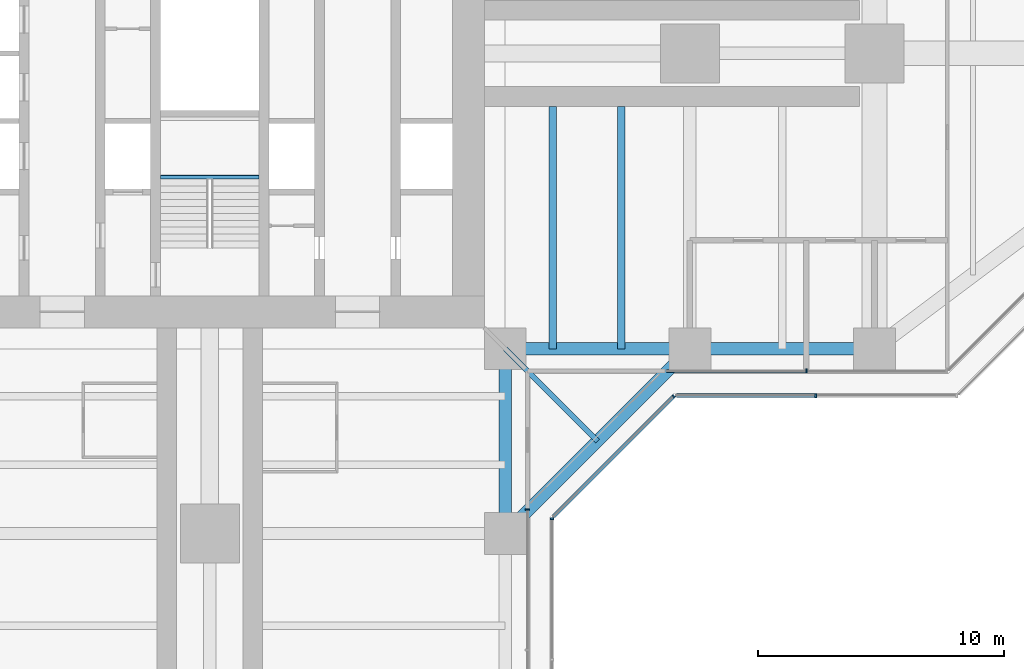
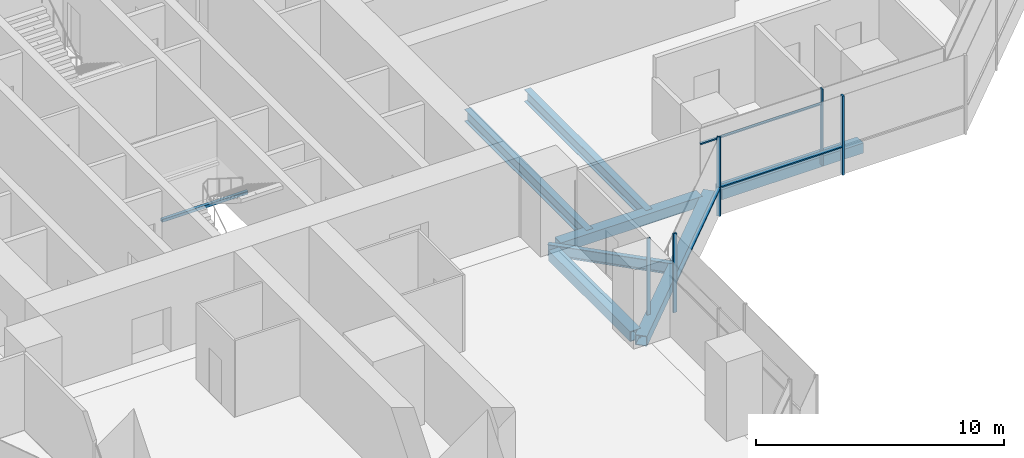
# One storey, part 6 of 22: 8 beams, 8 members, 5 elements without a shape of their own.
"""IFC4 building model written with IfcOpenShell, lengths in metres."""

import ifcopenshell
import ifcopenshell.guid

model = None  # the IFC model being written
_history = None  # IfcOwnerHistory: only IFC2X3 demands one
_inside = {}  # id of a spatial element -> (the spatial element, [elements in it])
_under = {}  # id of a project, library or spatial element -> (it, [spatial elements below it])
_declared = {}  # id of a project -> (the project, [libraries it declares])
_typed = {}  # id of a type object -> (the type object, [elements of that type])
_made_of = {}  # id of a material, layer set ... -> (it, [elements and type objects made of it])


def new_model(schema):
    """Start an empty IFC model of exactly this schema.

    Asked for "IFC4X3", IfcOpenShell would pick the latest addendum, in which some entities
    have other attributes; the version numbers below select the first issue.
    IFC2X3 requires an IfcOwnerHistory on every rooted entity: one is made here for all.
    """
    global model, _history
    if schema == "IFC4X3":
        model = ifcopenshell.file(schema_version=(4, 3, 0, 0))
    else:
        model = ifcopenshell.file(schema=schema)
    _inside.clear()
    _under.clear()
    _declared.clear()
    _typed.clear()
    _made_of.clear()
    _history = None
    if model.schema == "IFC2X3":
        org = make("IfcOrganization", Name="unknown")
        user = make(
            "IfcPersonAndOrganization",
            ThePerson=make("IfcPerson", FamilyName="unknown"),
            TheOrganization=org,
        )
        app = make(
            "IfcApplication",
            ApplicationDeveloper=org,
            Version="unknown",
            ApplicationFullName="unknown",
            ApplicationIdentifier="unknown",
        )
        _history = make(
            "IfcOwnerHistory",
            OwningUser=user,
            OwningApplication=app,
            ChangeAction="ADDED",
            CreationDate=0,
        )
    return model


def make(cls, **values):
    """One entity of the class cls with the attributes given. An attribute that is None is left unset."""
    return model.create_entity(
        cls, **{name: value for name, value in values.items() if value is not None}
    )


def rooted(cls, **values):
    """An entity with a GlobalId (a new one), such as an element, a storey or a relation."""
    return make(cls, GlobalId=ifcopenshell.guid.new(), OwnerHistory=_history, **values)


def si_unit(unit_type, name, prefix=None):
    """IfcSIUnit, for example si_unit("LENGTHUNIT", "METRE", prefix="MILLI")."""
    return make("IfcSIUnit", UnitType=unit_type, Prefix=prefix, Name=name)


def assignment(units):
    """IfcUnitAssignment: the units of a project."""
    return None if units is None else make("IfcUnitAssignment", Units=units)


def point(xyz):
    """IfcCartesianPoint."""
    return None if xyz is None else make("IfcCartesianPoint", Coordinates=xyz)


def direction(xyz):
    """IfcDirection."""
    return None if xyz is None else make("IfcDirection", DirectionRatios=xyz)


def frame(location, z_axis=None, x_axis=None):
    """IfcAxis2Placement3D, a coordinate frame: its origin and axes. An axis left out is left unset."""
    return make(
        "IfcAxis2Placement3D",
        Location=point(location),
        Axis=direction(z_axis),
        RefDirection=direction(x_axis),
    )


def frame_2d(location, x_axis=None):
    """IfcAxis2Placement2D, a coordinate frame in the plane: its origin and x axis."""
    return make(
        "IfcAxis2Placement2D", Location=point(location), RefDirection=direction(x_axis)
    )


def origin():
    """The frame at (0, 0, 0) with its axes left unset."""
    return frame((0.0, 0.0, 0.0))


def origin_2d():
    """The frame at (0, 0) in the plane with its x axis left unset."""
    return frame_2d((0.0, 0.0))


def place(relative_to, where):
    """IfcLocalPlacement: puts the frame where relative to a parent placement (None: the world)."""
    return make(
        "IfcLocalPlacement", PlacementRelTo=relative_to, RelativePlacement=where
    )


def context(
    kind, dimensions, precision=None, world=None, true_north=None, identifier=None
):
    """IfcGeometricRepresentationContext, for example the 3D "Model" context."""
    return make(
        "IfcGeometricRepresentationContext",
        ContextIdentifier=identifier,
        ContextType=kind,
        CoordinateSpaceDimension=dimensions,
        Precision=precision,
        WorldCoordinateSystem=world,
        TrueNorth=true_north,
    )


def subcontext(parent, identifier, kind, view, scale=None):
    """IfcGeometricRepresentationSubContext, for example "Body" below "Model"."""
    return make(
        "IfcGeometricRepresentationSubContext",
        ContextIdentifier=identifier,
        ContextType=kind,
        ParentContext=parent,
        TargetScale=scale,
        TargetView=view,
    )


def project(units=None, contexts=None):
    """IfcProject with its units and contexts."""
    return rooted(
        "IfcProject",
        Name="project",
        RepresentationContexts=contexts,
        UnitsInContext=assignment(units),
    )


def spatial(cls, under=None, at=None, **own):
    """A site, building, storey or space (cls), placed at a placement, below another one or the project."""
    s = rooted(cls, ObjectPlacement=at, **own)
    if under is not None:
        _under.setdefault(under.id(), (under, []))[1].append(s)
    return s


def profile(cls, at=None, kind="AREA", **sizes):
    """A parametric profile (cls). Its sizes go by their IFC names, for example OverallWidth=200.0."""
    return make(cls, ProfileType=kind, Position=at, **sizes)


def rectangle(**sizes):
    """IfcRectangleProfileDef."""
    return profile("IfcRectangleProfileDef", **sizes)


def hollow_rectangle(**sizes):
    """IfcRectangleHollowProfileDef."""
    return profile("IfcRectangleHollowProfileDef", **sizes)


def i_section(**sizes):
    """IfcIShapeProfileDef."""
    return profile("IfcIShapeProfileDef", **sizes)


def extrude(swept, where, along, depth):
    """IfcExtrudedAreaSolid: the profile swept, set in the frame where, extruded along a direction by depth."""
    return make(
        "IfcExtrudedAreaSolid",
        SweptArea=swept,
        Position=where,
        ExtrudedDirection=direction(along),
        Depth=depth,
    )


def shape(context_of_items, identifier, shape_type, items):
    """IfcShapeRepresentation: the items that make up one representation, for example the "Body"."""
    return make(
        "IfcShapeRepresentation",
        ContextOfItems=context_of_items,
        RepresentationIdentifier=identifier,
        RepresentationType=shape_type,
        Items=items,
    )


def material(Name=None, Category=None):
    """IfcMaterial."""
    return make("IfcMaterial", Name=Name, Category=Category)


def material_profile(
    of_material, cross_section, Name=None, Category=None, Priority=None
):
    """IfcMaterialProfile: a cross section and its material."""
    return make(
        "IfcMaterialProfile",
        Name=Name,
        Material=of_material,
        Profile=cross_section,
        Priority=Priority,
        Category=Category,
    )


def profile_set(profiles, Name=None, composite=None):
    """IfcMaterialProfileSet."""
    return make(
        "IfcMaterialProfileSet",
        Name=Name,
        MaterialProfiles=profiles,
        CompositeProfile=composite,
    )


def made_of(thing, what):
    """Note that an element or type object is made of a material, layer set ...; save() writes the relation."""
    if what is not None:
        _made_of.setdefault(what.id(), (what, []))[1].append(thing)
    return thing


def type_object(cls, material=None, **own):
    """A type object (cls), such as IfcWallType, which elements share."""
    return made_of(rooted(cls, **own), material)


def element(
    cls,
    number,
    at=None,
    inside=None,
    cuts=None,
    type_object=None,
    material=None,
    context=None,
    identifier="Body",
    shape_type=None,
    held_by="IfcProductDefinitionShape",
    body=None,
    shapes=None,
    **own,
):
    """One element of the class cls, such as IfcWall. Its Tag is "e" and its number.

    at: its placement. inside: the storey or other place that contains it. cuts: it is an
    opening in that element (IfcRelVoidsElement). A single representation is given by context,
    identifier, shape_type and body (its items); several are given by shapes. held_by: the class
    of the entity that holds the representations. save() writes the other relations.
    """
    e = rooted(cls, Tag="e%d" % number, ObjectPlacement=at, **own)
    if body is not None:
        shapes = [shape(context, identifier, shape_type, body)]
    if shapes is not None:
        e.Representation = make(held_by, Representations=shapes)
    if inside is not None:
        _inside.setdefault(inside.id(), (inside, []))[1].append(e)
    if cuts is not None:
        rooted(
            "IfcRelVoidsElement", RelatingBuildingElement=cuts, RelatedOpeningElement=e
        )
    if type_object is not None:
        _typed.setdefault(type_object.id(), (type_object, []))[1].append(e)
    return made_of(e, material)


def aggregate(whole, parts):
    """IfcRelAggregates: a whole, such as a stair, and the parts it consists of."""
    return rooted("IfcRelAggregates", RelatingObject=whole, RelatedObjects=parts)


def save(model, path):
    """Write the relations noted so far, then the file.

    IfcRelAggregates (storeys below a building ...), IfcRelContainedInSpatialStructure (elements
    in a storey), IfcRelDefinesByType, IfcRelAssociatesMaterial and IfcRelDeclares: one each for
    every whole, place, type object, material and project.
    """
    for whole, parts in _under.values():
        aggregate(whole, parts)
    for where, things in _inside.values():
        rooted(
            "IfcRelContainedInSpatialStructure",
            RelatedElements=things,
            RelatingStructure=where,
        )
    for kind, things in _typed.values():
        rooted("IfcRelDefinesByType", RelatedObjects=things, RelatingType=kind)
    for what, things in _made_of.values():
        rooted("IfcRelAssociatesMaterial", RelatedObjects=things, RelatingMaterial=what)
    for by, libraries in _declared.values():
        rooted("IfcRelDeclares", RelatingContext=by, RelatedDefinitions=libraries)
    model.write(path)


model = new_model("IFC4")

# Units and contexts
model_context = context("Model", 3, precision=1e-05, world=origin(), true_north=direction((0.0, 1.0)))
body_context = subcontext(model_context, "Body", "Model", "MODEL_VIEW")
ifc_project = project(units=[si_unit("LENGTHUNIT", "METRE"), si_unit("AREAUNIT", "SQUARE_METRE"), si_unit("VOLUMEUNIT", "CUBIC_METRE"), si_unit("PLANEANGLEUNIT", "RADIAN"), si_unit("MASSUNIT", "GRAM", prefix="KILO")], contexts=[model_context])

# Site, building, storey
site_placement = place(None, origin())
site = spatial("IfcSite", under=ifc_project, at=site_placement, CompositionType="ELEMENT")
building_placement = place(site_placement, origin())
building = spatial("IfcBuilding", under=site, at=building_placement, Name="Mizan Broadcast Tower", CompositionType="ELEMENT")
storey_placement = place(building_placement, frame((0.0, 0.0, 47.39990234375)))
storey = spatial("IfcBuildingStorey", under=building, at=storey_placement, Name="L08", CompositionType="ELEMENT", Elevation=47.39990234375)

# Beams
ifc_material_1 = material(Name="Steel S355", Category="steel")
ifc_material_profile_1 = material_profile(ifc_material_1, hollow_rectangle(XDim=0.5, YDim=0.5, WallThickness=0.030029296875, at=origin_2d()), Name="BOX 500x500x30")
ifc_profile_set_1 = profile_set([ifc_material_profile_1], Name="Steel S355")
beam_type_1 = type_object("IfcBeamType", Name="EDGE BEAM BOX 500x500x30", PredefinedType="SPANDREL", material=ifc_profile_set_1)
for number, where, z_axis, x_axis, name in (
    (1, (12.449951171875, -12.0, -0.3798828125), (1.0, 0.0, 0.0), (0.0, 1.0, 0.0), "Edge beam BOX 500x500x30 L08 east arm"),
    (2, (19.949951171875, -12.0, -0.3798828125), (1.0, 0.0, 0.0), (0.0, 1.0, 0.0), "Edge beam BOX 500x500x30 L08 east arm"),
    (3, (12.0, -12.449951171875, -0.3798828125), (0.0, -1.0, 0.0), (1.0, 0.0, 0.0), "Edge beam BOX 500x500x30 L08 south arm"),
):
    element("IfcBeam", number, at=place(storey_placement, frame(where, z_axis=z_axis, x_axis=x_axis)), inside=storey, type_object=beam_type_1, Name=name, PredefinedType="SPANDREL", context=body_context, shape_type="SweptSolid", body=[
        extrude(hollow_rectangle(XDim=0.5, YDim=0.5, WallThickness=0.030029296875, at=origin_2d()), origin(), (0.0, 0.0, 1.0), 6.60009765625),
    ])
beam_1_placement = place(storey_placement, frame((12.0, -19.5, -0.3798828125), z_axis=(0.707106781187, 0.707106781187, 0.0), x_axis=(-0.707106781187, 0.707106781187, 0.0)))
element("IfcBeam", 4, at=beam_1_placement, inside=storey, type_object=beam_type_1, Name="Winter garden edge beam L08 S", PredefinedType="SPANDREL", context=body_context, shape_type="SweptSolid", body=[
    extrude(hollow_rectangle(XDim=0.5, YDim=0.5, WallThickness=0.030029296875, at=origin_2d()), origin(), (0.0, 0.0, 1.0), 10.606689453125),
])

# Curtain wall, member
ifc_material_2 = material(Name="Aluminium framed glazing", Category="aluminium")
curtain_wall_type_1 = type_object("IfcCurtainWallType", Name="INNER SKIN LOW ZONE", PredefinedType="USERDEFINED", material=ifc_material_2)
curtain_wall_1_placement = place(storey_placement, origin())
curtain_wall_1 = element("IfcCurtainWall", 5, at=curtain_wall_1_placement, inside=storey, type_object=curtain_wall_type_1, Name="Inner skin low zone L08 E side", ObjectType="INNER SKIN LOW ZONE", PredefinedType="USERDEFINED")
ifc_material_3 = material(Name="Aluminium, pale anodised", Category="aluminium")
ifc_material_profile_2 = material_profile(ifc_material_3, rectangle(XDim=0.159912109375, YDim=0.06005859375, at=origin_2d()), Name="MULLION 160x60")
ifc_profile_set_2 = profile_set([ifc_material_profile_2], Name="Aluminium, pale anodised")
member_type_1 = type_object("IfcMemberType", Name="INNER SKIN MULLION 60x160", PredefinedType="MULLION", material=ifc_profile_set_2)
member_1_placement = place(storey_placement, frame((24.229248046875, -12.89990234375, 0.0), z_axis=(0.0, 0.0, 1.0), x_axis=(0.0, 1.0, 0.0)))
member_1 = element("IfcMember", 6, at=member_1_placement, type_object=member_type_1, Name="Inner skin low zone L08 E side mullion 2", PredefinedType="MULLION", context=body_context, shape_type="SweptSolid", body=[
    extrude(rectangle(XDim=0.159912109375, YDim=0.06005859375, at=origin_2d()), origin(), (0.0, 0.0, 1.0), 3.77001953125),
])

curtain_wall_2_placement = place(storey_placement, origin())
curtain_wall_2 = element("IfcCurtainWall", 7, at=curtain_wall_2_placement, inside=storey, type_object=curtain_wall_type_1, Name="Inner skin low zone L08 S side", ObjectType="INNER SKIN LOW ZONE", PredefinedType="USERDEFINED")
member_2_placement = place(storey_placement, frame((12.89990234375, -18.530029296875, 0.0), z_axis=(0.0, 0.0, 1.0), x_axis=(-1.0, 0.0, 0.0)))
member_2 = element("IfcMember", 8, at=member_2_placement, type_object=member_type_1, Name="Inner skin low zone L08 S side mullion 3", PredefinedType="MULLION", context=body_context, shape_type="SweptSolid", body=[
    extrude(rectangle(XDim=0.159912109375, YDim=0.06005859375, at=origin_2d()), origin(), (0.0, 0.0, 1.0), 3.77001953125),
])
aggregate(curtain_wall_2, [member_2])

# Member
ifc_material_4 = material(Name="Aluminium, pale anodised", Category="aluminium")
ifc_material_profile_3 = material_profile(ifc_material_4, rectangle(XDim=0.1201171875, YDim=0.06005859375, at=origin_2d()), Name="TRANSOM 120x60")
ifc_profile_set_3 = profile_set([ifc_material_profile_3], Name="Aluminium, pale anodised")
member_type_2 = type_object("IfcMemberType", Name="INNER SKIN TRANSOM 60x120", PredefinedType="USERDEFINED", material=ifc_profile_set_3)
member_3_placement = place(storey_placement, frame((18.56005859375, -12.89990234375, 3.030029296875), z_axis=(1.0, 0.0, 0.0), x_axis=(0.0, 1.0, 0.0)))
member_3 = element("IfcMember", 9, at=member_3_placement, type_object=member_type_2, Name="Inner skin low zone L08 E side transom 1.1", ObjectType="TRANSOM", PredefinedType="USERDEFINED", context=body_context, shape_type="SweptSolid", body=[
    extrude(rectangle(XDim=0.1201171875, YDim=0.06005859375, at=origin_2d()), origin(), (0.0, 0.0, 1.0), 5.63916015625),
])

aggregate(curtain_wall_1, [member_1, member_3])

# Beam
ifc_material_5 = material(Name="Steel S355", Category="steel")
ifc_material_profile_4 = material_profile(ifc_material_5, hollow_rectangle(XDim=0.14990234375, YDim=0.14990234375, WallThickness=0.008056640625, InnerFilletRadius=0.008056640625, OuterFilletRadius=0.011962890625, at=origin_2d()), Name="SHS 150x150x8")
ifc_profile_set_4 = profile_set([ifc_material_profile_4], Name="Steel S355")
beam_type_2 = type_object("IfcBeamType", Name="LANDING TRIMMER SHS 150x150x8", PredefinedType="BEAM", material=ifc_profile_set_4)
beam_2_placement = place(storey_placement, frame((-2.0, -5.02490234375, 1.675048828125), z_axis=(1.0, 0.0, 0.0), x_axis=(0.0, 1.0, 0.0)))
element("IfcBeam", 10, at=beam_2_placement, inside=storey, type_object=beam_type_2, Name="Stair A landing trimmer L08", PredefinedType="BEAM", context=body_context, shape_type="SweptSolid", body=[
    extrude(hollow_rectangle(XDim=0.14990234375, YDim=0.14990234375, WallThickness=0.008056640625, InnerFilletRadius=0.008056640625, OuterFilletRadius=0.011962890625, at=origin_2d()), origin(), (0.0, 0.0, 1.0), 4.0),
])

# Curtain wall, member
ifc_material_6 = material(Name="Aluminium framed glazing", Category="aluminium")
curtain_wall_type_2 = type_object("IfcCurtainWallType", Name="OUTER SKIN", PredefinedType="USERDEFINED", material=ifc_material_6)
curtain_wall_3_placement = place(storey_placement, origin())
curtain_wall_3 = element("IfcCurtainWall", 11, at=curtain_wall_3_placement, inside=storey, type_object=curtain_wall_type_2, Name="Outer skin L08 S side", ObjectType="OUTER SKIN", PredefinedType="USERDEFINED")
ifc_material_7 = material(Name="Aluminium, pale anodised", Category="aluminium")
ifc_material_profile_5 = material_profile(ifc_material_7, rectangle(XDim=0.159912109375, YDim=0.080078125, at=origin_2d()), Name="MULLION 160x80")
ifc_profile_set_5 = profile_set([ifc_material_profile_5], Name="Aluminium, pale anodised")
member_type_3 = type_object("IfcMemberType", Name="OUTER SKIN MULLION 80x160", PredefinedType="MULLION", material=ifc_profile_set_5)
member_4_placement = place(storey_placement, frame((13.89990234375, -18.912841796875, 0.0), z_axis=(0.0, 0.0, 1.0), x_axis=(-1.0, 0.0, 0.0)))
member_4 = element("IfcMember", 12, at=member_4_placement, type_object=member_type_3, Name="Outer skin L08 S side mullion 3", PredefinedType="MULLION", context=body_context, shape_type="SweptSolid", body=[
    extrude(rectangle(XDim=0.159912109375, YDim=0.080078125, at=origin_2d()), origin(), (0.0, 0.0, 1.0), 3.900146484375),
])
aggregate(curtain_wall_3, [member_4])

curtain_wall_4_placement = place(storey_placement, origin())
curtain_wall_4 = element("IfcCurtainWall", 13, at=curtain_wall_4_placement, inside=storey, type_object=curtain_wall_type_2, Name="Outer skin L08 E chamfer", ObjectType="OUTER SKIN", PredefinedType="USERDEFINED")
member_5_placement = place(storey_placement, frame((18.844482421875, -13.92822265625, 0.0), z_axis=(0.0, 0.0, 1.0), x_axis=(-0.707106781187, 0.707106781187, 0.0)))
member_5 = element("IfcMember", 14, at=member_5_placement, type_object=member_type_3, Name="Outer skin L08 E chamfer mullion 2", PredefinedType="MULLION", context=body_context, shape_type="SweptSolid", body=[
    extrude(rectangle(XDim=0.159912109375, YDim=0.080078125, at=origin_2d()), origin(), (0.0, 0.0, 1.0), 3.900146484375),
])

curtain_wall_5_placement = place(storey_placement, origin())
curtain_wall_5 = element("IfcCurtainWall", 15, at=curtain_wall_5_placement, inside=storey, type_object=curtain_wall_type_2, Name="Outer skin L08 E side", ObjectType="OUTER SKIN", PredefinedType="USERDEFINED")
member_6_placement = place(storey_placement, frame((24.622802734375, -13.89990234375, 0.0), z_axis=(0.0, 0.0, 1.0), x_axis=(0.0, 1.0, 0.0)))
member_6 = element("IfcMember", 16, at=member_6_placement, type_object=member_type_3, Name="Outer skin L08 E side mullion 2", PredefinedType="MULLION", context=body_context, shape_type="SweptSolid", body=[
    extrude(rectangle(XDim=0.159912109375, YDim=0.080078125, at=origin_2d()), origin(), (0.0, 0.0, 1.0), 3.900146484375),
])

# Member
ifc_material_8 = material(Name="Aluminium, pale anodised", Category="aluminium")
ifc_material_profile_6 = material_profile(ifc_material_8, rectangle(XDim=0.159912109375, YDim=0.06005859375, at=origin_2d()), Name="TRANSOM 160x60")
ifc_profile_set_6 = profile_set([ifc_material_profile_6], Name="Aluminium, pale anodised")
member_type_4 = type_object("IfcMemberType", Name="OUTER SKIN TRANSOM 60x160", PredefinedType="USERDEFINED", material=ifc_profile_set_6)
member_7_placement = place(storey_placement, frame((13.95654296875, -18.816162109375, 1.400146484375), z_axis=(0.707106781187, 0.707106781187, 0.0), x_axis=(-0.707106781187, 0.707106781187, 0.0)))
member_7 = element("IfcMember", 17, at=member_7_placement, type_object=member_type_4, Name="Outer skin L08 E chamfer transom 1.1", ObjectType="TRANSOM", PredefinedType="USERDEFINED", context=body_context, shape_type="SweptSolid", body=[
    extrude(rectangle(XDim=0.159912109375, YDim=0.06005859375, at=origin_2d()), origin(), (0.0, 0.0, 1.0), 6.87255859375),
])

aggregate(curtain_wall_4, [member_5, member_7])

member_8_placement = place(storey_placement, frame((18.952880859375, -13.89990234375, 1.400146484375), z_axis=(1.0, 0.0, 0.0), x_axis=(0.0, 1.0, 0.0)))
member_8 = element("IfcMember", 18, at=member_8_placement, type_object=member_type_4, Name="Outer skin L08 E side transom 1.1", ObjectType="TRANSOM", PredefinedType="USERDEFINED", context=body_context, shape_type="SweptSolid", body=[
    extrude(rectangle(XDim=0.159912109375, YDim=0.06005859375, at=origin_2d()), origin(), (0.0, 0.0, 1.0), 5.6298828125),
])

aggregate(curtain_wall_5, [member_6, member_8])

# Beams
ifc_material_9 = material(Name="Steel S355", Category="steel")
ifc_material_profile_7 = material_profile(ifc_material_9, i_section(OverallWidth=0.300048828125, OverallDepth=0.590087890625, WebThickness=0.012939453125, FlangeThickness=0.02490234375, FilletRadius=0.027099609375, at=origin_2d()), Name="HEA 600")
ifc_profile_set_7 = profile_set([ifc_material_profile_7], Name="Steel S355")
beam_type_3 = type_object("IfcBeamType", Name="SECONDARY BEAM HEA 600", PredefinedType="JOIST", material=ifc_profile_set_7)
for number, where, z_axis, x_axis, name in (
    (19, (13.933349609375, -12.0, -0.4248046875), (0.0, 1.0, 0.0), (-1.0, 0.0, 0.0), "Secondary beam HEA 600 L08 east arm"),
    (20, (16.716552734375, -12.0, -0.4248046875), (0.0, 1.0, 0.0), (-1.0, 0.0, 0.0), "Secondary beam HEA 600 L08 east arm"),
):
    element("IfcBeam", number, at=place(storey_placement, frame(where, z_axis=z_axis, x_axis=x_axis)), inside=storey, type_object=beam_type_3, Name=name, PredefinedType="JOIST", context=body_context, shape_type="SweptSolid", body=[
        extrude(i_section(OverallWidth=0.300048828125, OverallDepth=0.590087890625, WebThickness=0.012939453125, FlangeThickness=0.02490234375, FilletRadius=0.027099609375, at=origin_2d()), origin(), (0.0, 0.0, 1.0), 9.85009765625),
    ])
ifc_material_10 = material(Name="Steel S355", Category="steel")
ifc_material_profile_8 = material_profile(ifc_material_10, i_section(OverallWidth=0.2099609375, OverallDepth=0.550048828125, WebThickness=0.010986328125, FlangeThickness=0.01708984375, FilletRadius=0.02392578125, at=origin_2d()), Name="IPE 550")
ifc_profile_set_8 = profile_set([ifc_material_profile_8], Name="Steel S355")
beam_type_4 = type_object("IfcBeamType", Name="SECONDARY BEAM IPE 550", PredefinedType="JOIST", material=ifc_profile_set_8)
beam_3_placement = place(storey_placement, frame((12.0, -12.0, -0.40478515625), z_axis=(0.707106781187, -0.707106781187, 0.0), x_axis=(0.707106781187, 0.707106781187, 0.0)))
element("IfcBeam", 21, at=beam_3_placement, inside=storey, type_object=beam_type_4, Name="Winter garden beam L08 S", PredefinedType="JOIST", context=body_context, shape_type="SweptSolid", body=[
    extrude(i_section(OverallWidth=0.2099609375, OverallDepth=0.550048828125, WebThickness=0.010986328125, FlangeThickness=0.01708984375, FilletRadius=0.02392578125, at=origin_2d()), origin(), (0.0, 0.0, 1.0), 5.30322265625),
])

save(model, "model.ifc")
